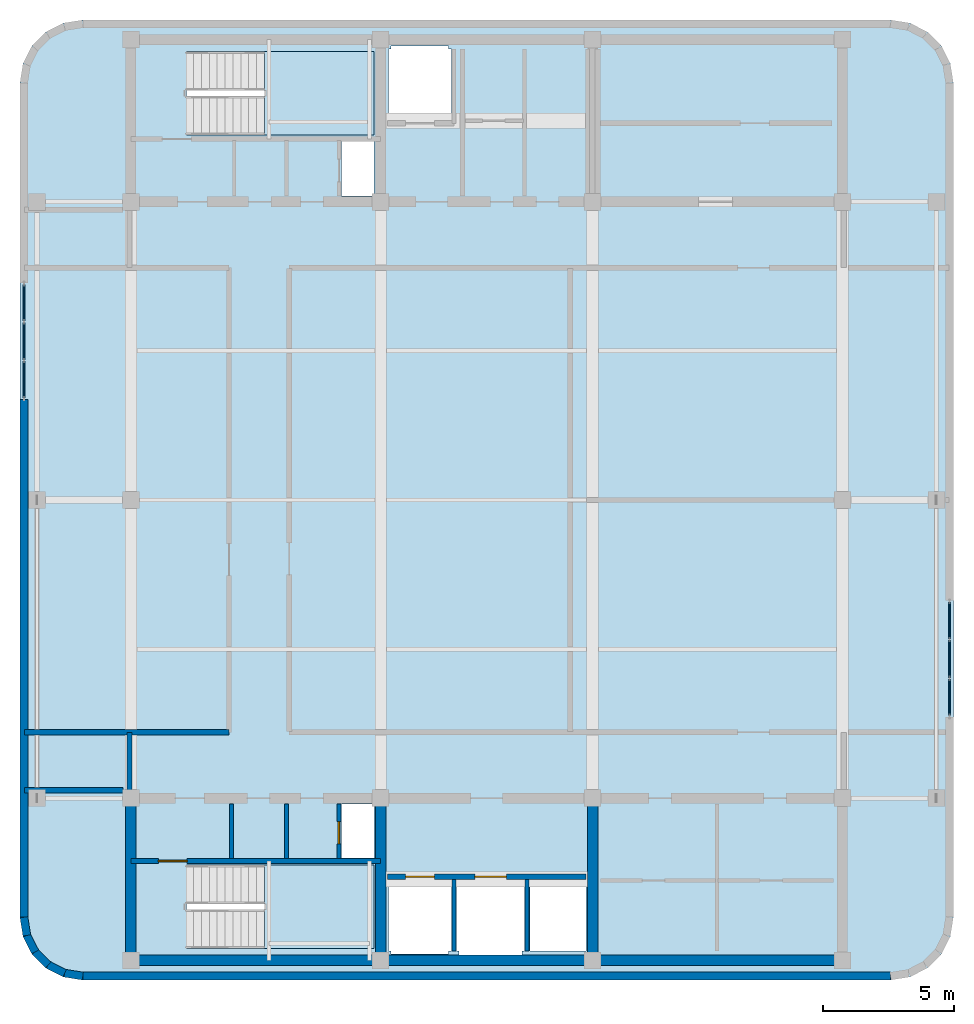
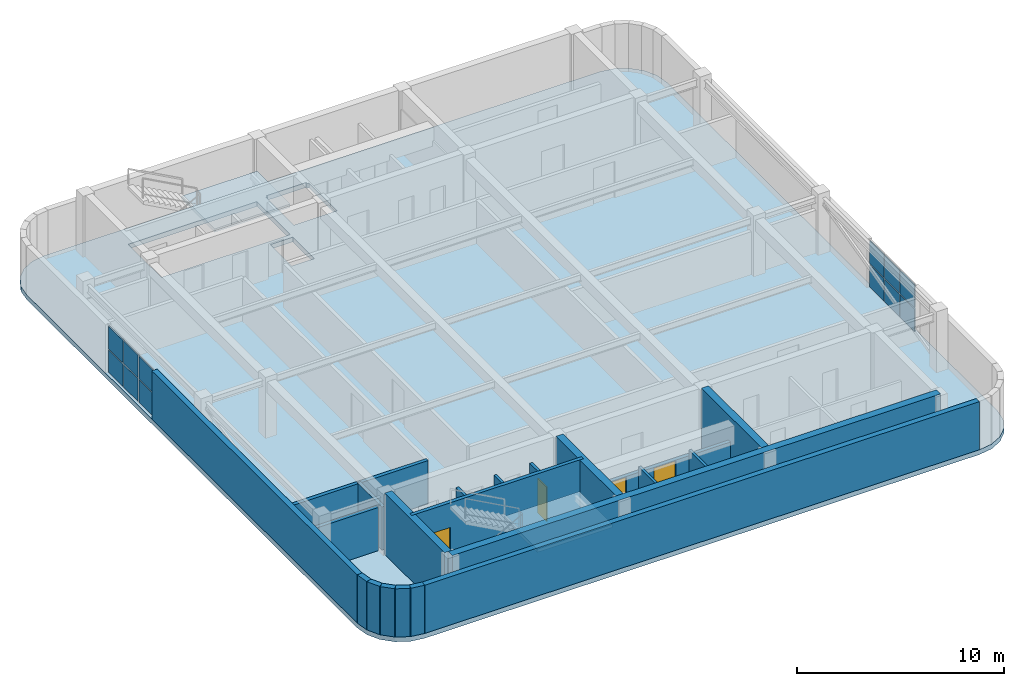
# One storey, part 4 of 9: 21 walls, 12 plates, 4 doors, 3 slabs, 4 openings, 4 elements without a shape of their own.
"""IFC4 building model written with IfcOpenShell, lengths in metres."""

import ifcopenshell
import ifcopenshell.guid

model = None  # the IFC model being written
_history = None  # IfcOwnerHistory: only IFC2X3 demands one
_inside = {}  # id of a spatial element -> (the spatial element, [elements in it])
_under = {}  # id of a project, library or spatial element -> (it, [spatial elements below it])
_declared = {}  # id of a project -> (the project, [libraries it declares])
_typed = {}  # id of a type object -> (the type object, [elements of that type])
_made_of = {}  # id of a material, layer set ... -> (it, [elements and type objects made of it])


def new_model(schema):
    """Start an empty IFC model of exactly this schema.

    Asked for "IFC4X3", IfcOpenShell would pick the latest addendum, in which some entities
    have other attributes; the version numbers below select the first issue.
    IFC2X3 requires an IfcOwnerHistory on every rooted entity: one is made here for all.
    """
    global model, _history
    if schema == "IFC4X3":
        model = ifcopenshell.file(schema_version=(4, 3, 0, 0))
    else:
        model = ifcopenshell.file(schema=schema)
    _inside.clear()
    _under.clear()
    _declared.clear()
    _typed.clear()
    _made_of.clear()
    _history = None
    if model.schema == "IFC2X3":
        org = make("IfcOrganization", Name="unknown")
        user = make(
            "IfcPersonAndOrganization",
            ThePerson=make("IfcPerson", FamilyName="unknown"),
            TheOrganization=org,
        )
        app = make(
            "IfcApplication",
            ApplicationDeveloper=org,
            Version="unknown",
            ApplicationFullName="unknown",
            ApplicationIdentifier="unknown",
        )
        _history = make(
            "IfcOwnerHistory",
            OwningUser=user,
            OwningApplication=app,
            ChangeAction="ADDED",
            CreationDate=0,
        )
    return model


def make(cls, **values):
    """One entity of the class cls with the attributes given. An attribute that is None is left unset."""
    return model.create_entity(
        cls, **{name: value for name, value in values.items() if value is not None}
    )


def rooted(cls, **values):
    """An entity with a GlobalId (a new one), such as an element, a storey or a relation."""
    return make(cls, GlobalId=ifcopenshell.guid.new(), OwnerHistory=_history, **values)


def si_unit(unit_type, name, prefix=None):
    """IfcSIUnit, for example si_unit("LENGTHUNIT", "METRE", prefix="MILLI")."""
    return make("IfcSIUnit", UnitType=unit_type, Prefix=prefix, Name=name)


def assignment(units):
    """IfcUnitAssignment: the units of a project."""
    return None if units is None else make("IfcUnitAssignment", Units=units)


def point(xyz):
    """IfcCartesianPoint."""
    return None if xyz is None else make("IfcCartesianPoint", Coordinates=xyz)


def direction(xyz):
    """IfcDirection."""
    return None if xyz is None else make("IfcDirection", DirectionRatios=xyz)


def frame(location, z_axis=None, x_axis=None):
    """IfcAxis2Placement3D, a coordinate frame: its origin and axes. An axis left out is left unset."""
    return make(
        "IfcAxis2Placement3D",
        Location=point(location),
        Axis=direction(z_axis),
        RefDirection=direction(x_axis),
    )


def frame_2d(location, x_axis=None):
    """IfcAxis2Placement2D, a coordinate frame in the plane: its origin and x axis."""
    return make(
        "IfcAxis2Placement2D", Location=point(location), RefDirection=direction(x_axis)
    )


def origin():
    """The frame at (0, 0, 0) with its axes left unset."""
    return frame((0.0, 0.0, 0.0))


def origin_2d():
    """The frame at (0, 0) in the plane with its x axis left unset."""
    return frame_2d((0.0, 0.0))


def place(relative_to, where):
    """IfcLocalPlacement: puts the frame where relative to a parent placement (None: the world)."""
    return make(
        "IfcLocalPlacement", PlacementRelTo=relative_to, RelativePlacement=where
    )


def context(
    kind, dimensions, precision=None, world=None, true_north=None, identifier=None
):
    """IfcGeometricRepresentationContext, for example the 3D "Model" context."""
    return make(
        "IfcGeometricRepresentationContext",
        ContextIdentifier=identifier,
        ContextType=kind,
        CoordinateSpaceDimension=dimensions,
        Precision=precision,
        WorldCoordinateSystem=world,
        TrueNorth=true_north,
    )


def subcontext(parent, identifier, kind, view, scale=None):
    """IfcGeometricRepresentationSubContext, for example "Body" below "Model"."""
    return make(
        "IfcGeometricRepresentationSubContext",
        ContextIdentifier=identifier,
        ContextType=kind,
        ParentContext=parent,
        TargetScale=scale,
        TargetView=view,
    )


def project(units=None, contexts=None):
    """IfcProject with its units and contexts."""
    return rooted(
        "IfcProject",
        Name="project",
        RepresentationContexts=contexts,
        UnitsInContext=assignment(units),
    )


def spatial(cls, under=None, at=None, **own):
    """A site, building, storey or space (cls), placed at a placement, below another one or the project."""
    s = rooted(cls, ObjectPlacement=at, **own)
    if under is not None:
        _under.setdefault(under.id(), (under, []))[1].append(s)
    return s


def polyline(points):
    """IfcPolyline through the points."""
    return make("IfcPolyline", Points=[point(p) for p in points])


def profile(cls, at=None, kind="AREA", **sizes):
    """A parametric profile (cls). Its sizes go by their IFC names, for example OverallWidth=200.0."""
    return make(cls, ProfileType=kind, Position=at, **sizes)


def rectangle(**sizes):
    """IfcRectangleProfileDef."""
    return profile("IfcRectangleProfileDef", **sizes)


def outline(outer, holes=None, kind="AREA"):
    """IfcArbitraryClosedProfileDef: a profile drawn as a closed curve; with holes, ...WithVoids."""
    if holes is None:
        return make("IfcArbitraryClosedProfileDef", ProfileType=kind, OuterCurve=outer)
    return make(
        "IfcArbitraryProfileDefWithVoids",
        ProfileType=kind,
        OuterCurve=outer,
        InnerCurves=holes,
    )


def extrude(swept, where, along, depth):
    """IfcExtrudedAreaSolid: the profile swept, set in the frame where, extruded along a direction by depth."""
    return make(
        "IfcExtrudedAreaSolid",
        SweptArea=swept,
        Position=where,
        ExtrudedDirection=direction(along),
        Depth=depth,
    )


def shape(context_of_items, identifier, shape_type, items):
    """IfcShapeRepresentation: the items that make up one representation, for example the "Body"."""
    return make(
        "IfcShapeRepresentation",
        ContextOfItems=context_of_items,
        RepresentationIdentifier=identifier,
        RepresentationType=shape_type,
        Items=items,
    )


def material(Name=None, Category=None):
    """IfcMaterial."""
    return make("IfcMaterial", Name=Name, Category=Category)


def layer(
    of_material, thickness, ventilated=None, Name=None, Category=None, Priority=None
):
    """IfcMaterialLayer: one layer of a wall or slab, of a material (None: an air gap)."""
    return make(
        "IfcMaterialLayer",
        Material=of_material,
        LayerThickness=thickness,
        IsVentilated=ventilated,
        Name=Name,
        Category=Category,
        Priority=Priority,
    )


def layer_set(layers, Name=None):
    """IfcMaterialLayerSet."""
    return make("IfcMaterialLayerSet", MaterialLayers=layers, LayerSetName=Name)


def made_of(thing, what):
    """Note that an element or type object is made of a material, layer set ...; save() writes the relation."""
    if what is not None:
        _made_of.setdefault(what.id(), (what, []))[1].append(thing)
    return thing


def type_object(cls, material=None, **own):
    """A type object (cls), such as IfcWallType, which elements share."""
    return made_of(rooted(cls, **own), material)


def element(
    cls,
    number,
    at=None,
    inside=None,
    cuts=None,
    type_object=None,
    material=None,
    context=None,
    identifier="Body",
    shape_type=None,
    held_by="IfcProductDefinitionShape",
    body=None,
    shapes=None,
    **own,
):
    """One element of the class cls, such as IfcWall. Its Tag is "e" and its number.

    at: its placement. inside: the storey or other place that contains it. cuts: it is an
    opening in that element (IfcRelVoidsElement). A single representation is given by context,
    identifier, shape_type and body (its items); several are given by shapes. held_by: the class
    of the entity that holds the representations. save() writes the other relations.
    """
    e = rooted(cls, Tag="e%d" % number, ObjectPlacement=at, **own)
    if body is not None:
        shapes = [shape(context, identifier, shape_type, body)]
    if shapes is not None:
        e.Representation = make(held_by, Representations=shapes)
    if inside is not None:
        _inside.setdefault(inside.id(), (inside, []))[1].append(e)
    if cuts is not None:
        rooted(
            "IfcRelVoidsElement", RelatingBuildingElement=cuts, RelatedOpeningElement=e
        )
    if type_object is not None:
        _typed.setdefault(type_object.id(), (type_object, []))[1].append(e)
    return made_of(e, material)


def fill(opening, filler):
    """IfcRelFillsElement: the door or window that sits in an opening."""
    return rooted(
        "IfcRelFillsElement",
        RelatingOpeningElement=opening,
        RelatedBuildingElement=filler,
    )


def aggregate(whole, parts):
    """IfcRelAggregates: a whole, such as a stair, and the parts it consists of."""
    return rooted("IfcRelAggregates", RelatingObject=whole, RelatedObjects=parts)


def save(model, path):
    """Write the relations noted so far, then the file.

    IfcRelAggregates (storeys below a building ...), IfcRelContainedInSpatialStructure (elements
    in a storey), IfcRelDefinesByType, IfcRelAssociatesMaterial and IfcRelDeclares: one each for
    every whole, place, type object, material and project.
    """
    for whole, parts in _under.values():
        aggregate(whole, parts)
    for where, things in _inside.values():
        rooted(
            "IfcRelContainedInSpatialStructure",
            RelatedElements=things,
            RelatingStructure=where,
        )
    for kind, things in _typed.values():
        rooted("IfcRelDefinesByType", RelatedObjects=things, RelatingType=kind)
    for what, things in _made_of.values():
        rooted("IfcRelAssociatesMaterial", RelatedObjects=things, RelatingMaterial=what)
    for by, libraries in _declared.values():
        rooted("IfcRelDeclares", RelatingContext=by, RelatedDefinitions=libraries)
    model.write(path)


model = new_model("IFC4")

# Units and contexts
model_context = context("Model", 3, precision=1e-05, world=origin(), true_north=direction((0.0, 1.0)))
body_context = subcontext(model_context, "Body", "Model", "MODEL_VIEW")
ifc_project = project(units=[si_unit("LENGTHUNIT", "METRE"), si_unit("AREAUNIT", "SQUARE_METRE"), si_unit("VOLUMEUNIT", "CUBIC_METRE"), si_unit("PLANEANGLEUNIT", "RADIAN"), si_unit("MASSUNIT", "GRAM", prefix="KILO")], contexts=[model_context])

# Site, building, storey
site_placement = place(None, origin())
site = spatial("IfcSite", under=ifc_project, at=site_placement, CompositionType="ELEMENT")
building_placement = place(site_placement, origin())
building = spatial("IfcBuilding", under=site, at=building_placement, Name="Svetorya Sky Lyceum", CompositionType="ELEMENT")
storey_placement = place(building_placement, frame((0.0, 0.0, 309.199951171875)))
storey = spatial("IfcBuildingStorey", under=building, at=storey_placement, Name="C03", CompositionType="ELEMENT", Elevation=309.199951171875)

# Curtain wall, plates
ifc_material_1 = material(Name="Thermally broken anodized aluminium and triple low-E glass", Category="aluminium")
curtain_wall_type = type_object("IfcCurtainWallType", Name="CW5-LVR-PLT", PredefinedType="NOTDEFINED", material=ifc_material_1)
curtain_wall_1_placement = place(storey_placement, origin())
curtain_wall_1 = element("IfcCurtainWall", 1, at=curtain_wall_1_placement, inside=storey, type_object=curtain_wall_type, Name="C03 Acoustic Plant Louvre Curtain Wall 12", PredefinedType="NOTDEFINED")
ifc_material_2 = material(Name="Powder-coated extruded aluminium acoustic louvre blade", Category="aluminium")
ifc_layer_1 = layer(ifc_material_2, 0.06494140625)
ifc_layer_set_1 = layer_set([ifc_layer_1], Name="Powder-coated extruded aluminium acoustic louvre blade")
plate_type = type_object("IfcPlateType", Name="CWP-LVR-65", PredefinedType="SHEET", material=ifc_layer_set_1)
plate_1_placement = place(storey_placement, frame((56.889892578125, 20.657958984375, 0.0634765625), z_axis=(0.0, 0.0, 1.0), x_axis=(0.0, 1.0, 0.0)))
plate_1 = element("IfcPlate", 2, at=plate_1_placement, type_object=plate_type, Name="CW-5 panel 1.1", PredefinedType="SHEET", context=body_context, shape_type="SweptSolid", body=[
    extrude(rectangle(XDim=1.388916015625, YDim=0.06494140625, at=origin_2d()), origin(), (0.0, 0.0, 1.0), 1.325439453125),
])
plate_2_placement = place(storey_placement, frame((56.889892578125, 20.657958984375, 1.451171875), z_axis=(0.0, 0.0, 1.0), x_axis=(0.0, 1.0, 0.0)))
plate_2 = element("IfcPlate", 3, at=plate_2_placement, type_object=plate_type, Name="CW-5 panel 1.2", PredefinedType="SHEET", context=body_context, shape_type="SweptSolid", body=[
    extrude(rectangle(XDim=1.388916015625, YDim=0.06494140625, at=origin_2d()), origin(), (0.0, 0.0, 1.0), 1.325439453125),
])
plate_3_placement = place(storey_placement, frame((56.889892578125, 22.125, 0.0634765625), z_axis=(0.0, 0.0, 1.0), x_axis=(0.0, 1.0, 0.0)))
plate_3 = element("IfcPlate", 4, at=plate_3_placement, type_object=plate_type, Name="CW-5 panel 2.1", PredefinedType="SHEET", context=body_context, shape_type="SweptSolid", body=[
    extrude(rectangle(XDim=1.42138671875, YDim=0.06494140625, at=origin_2d()), origin(), (0.0, 0.0, 1.0), 1.325439453125),
])
plate_4_placement = place(storey_placement, frame((56.889892578125, 22.125, 1.451171875), z_axis=(0.0, 0.0, 1.0), x_axis=(0.0, 1.0, 0.0)))
plate_4 = element("IfcPlate", 5, at=plate_4_placement, type_object=plate_type, Name="CW-5 panel 2.2", PredefinedType="SHEET", context=body_context, shape_type="SweptSolid", body=[
    extrude(rectangle(XDim=1.42138671875, YDim=0.06494140625, at=origin_2d()), origin(), (0.0, 0.0, 1.0), 1.325439453125),
])
plate_5_placement = place(storey_placement, frame((56.889892578125, 23.592041015625, 0.0634765625), z_axis=(0.0, 0.0, 1.0), x_axis=(0.0, 1.0, 0.0)))
plate_5 = element("IfcPlate", 6, at=plate_5_placement, type_object=plate_type, Name="CW-5 panel 3.1", PredefinedType="SHEET", context=body_context, shape_type="SweptSolid", body=[
    extrude(rectangle(XDim=1.388916015625, YDim=0.06494140625, at=origin_2d()), origin(), (0.0, 0.0, 1.0), 1.325439453125),
])
plate_6_placement = place(storey_placement, frame((56.889892578125, 23.592041015625, 1.451171875), z_axis=(0.0, 0.0, 1.0), x_axis=(0.0, 1.0, 0.0)))
plate_6 = element("IfcPlate", 7, at=plate_6_placement, type_object=plate_type, Name="CW-5 panel 3.2", PredefinedType="SHEET", context=body_context, shape_type="SweptSolid", body=[
    extrude(rectangle(XDim=1.388916015625, YDim=0.06494140625, at=origin_2d()), origin(), (0.0, 0.0, 1.0), 1.325439453125),
])
aggregate(curtain_wall_1, [plate_1, plate_2, plate_3, plate_4, plate_5, plate_6])

curtain_wall_2_placement = place(storey_placement, origin())
curtain_wall_2 = element("IfcCurtainWall", 8, at=curtain_wall_2_placement, inside=storey, type_object=curtain_wall_type, Name="C03 Acoustic Plant Louvre Curtain Wall 24", PredefinedType="NOTDEFINED")
plate_7_placement = place(storey_placement, frame((21.510009765625, 35.7421875, 0.0634765625), z_axis=(0.0, 0.0, 1.0), x_axis=(0.0, -1.0, 0.0)))
plate_7 = element("IfcPlate", 9, at=plate_7_placement, type_object=plate_type, Name="CW-5 panel 1.1", PredefinedType="SHEET", context=body_context, shape_type="SweptSolid", body=[
    extrude(rectangle(XDim=1.388916015625, YDim=0.06494140625, at=origin_2d()), origin(), (0.0, 0.0, 1.0), 1.325439453125),
])
plate_8_placement = place(storey_placement, frame((21.510009765625, 35.7421875, 1.451171875), z_axis=(0.0, 0.0, 1.0), x_axis=(0.0, -1.0, 0.0)))
plate_8 = element("IfcPlate", 10, at=plate_8_placement, type_object=plate_type, Name="CW-5 panel 1.2", PredefinedType="SHEET", context=body_context, shape_type="SweptSolid", body=[
    extrude(rectangle(XDim=1.388916015625, YDim=0.06494140625, at=origin_2d()), origin(), (0.0, 0.0, 1.0), 1.325439453125),
])
plate_9_placement = place(storey_placement, frame((21.510009765625, 34.27490234375, 0.0634765625), z_axis=(0.0, 0.0, 1.0), x_axis=(0.0, -1.0, 0.0)))
plate_9 = element("IfcPlate", 11, at=plate_9_placement, type_object=plate_type, Name="CW-5 panel 2.1", PredefinedType="SHEET", context=body_context, shape_type="SweptSolid", body=[
    extrude(rectangle(XDim=1.42138671875, YDim=0.06494140625, at=origin_2d()), origin(), (0.0, 0.0, 1.0), 1.325439453125),
])
plate_10_placement = place(storey_placement, frame((21.510009765625, 34.27490234375, 1.451171875), z_axis=(0.0, 0.0, 1.0), x_axis=(0.0, -1.0, 0.0)))
plate_10 = element("IfcPlate", 12, at=plate_10_placement, type_object=plate_type, Name="CW-5 panel 2.2", PredefinedType="SHEET", context=body_context, shape_type="SweptSolid", body=[
    extrude(rectangle(XDim=1.42138671875, YDim=0.06494140625, at=origin_2d()), origin(), (0.0, 0.0, 1.0), 1.325439453125),
])
plate_11_placement = place(storey_placement, frame((21.510009765625, 32.807861328125, 0.0634765625), z_axis=(0.0, 0.0, 1.0), x_axis=(0.0, -1.0, 0.0)))
plate_11 = element("IfcPlate", 13, at=plate_11_placement, type_object=plate_type, Name="CW-5 panel 3.1", PredefinedType="SHEET", context=body_context, shape_type="SweptSolid", body=[
    extrude(rectangle(XDim=1.388916015625, YDim=0.06494140625, at=origin_2d()), origin(), (0.0, 0.0, 1.0), 1.325439453125),
])
plate_12_placement = place(storey_placement, frame((21.510009765625, 32.807861328125, 1.451171875), z_axis=(0.0, 0.0, 1.0), x_axis=(0.0, -1.0, 0.0)))
plate_12 = element("IfcPlate", 14, at=plate_12_placement, type_object=plate_type, Name="CW-5 panel 3.2", PredefinedType="SHEET", context=body_context, shape_type="SweptSolid", body=[
    extrude(rectangle(XDim=1.388916015625, YDim=0.06494140625, at=origin_2d()), origin(), (0.0, 0.0, 1.0), 1.325439453125),
])
aggregate(curtain_wall_2, [plate_7, plate_8, plate_9, plate_10, plate_11, plate_12])

# Stair, slab
ifc_material_3 = material(Name="Concrete C40/50", Category="concrete")
stair_type_1 = type_object("IfcStairType", Name="STR-ST-S", PredefinedType="HALF_TURN_STAIR", material=ifc_material_3)
stair_1_placement = place(storey_placement, origin())
stair_1 = element("IfcStair", 15, at=stair_1_placement, inside=storey, type_object=stair_type_1, Name="C03 South Core Smoke-Free Exit Stair N2", PredefinedType="HALF_TURN_STAIR")
ifc_layer_2 = layer(ifc_material_3, 0.199951171875)
ifc_layer_set_2 = layer_set([ifc_layer_2], Name="Concrete C40/50")
slab_type_1 = type_object("IfcSlabType", Name="SL-STR-LAND-200", PredefinedType="LANDING", material=ifc_layer_set_2)
slab_1_placement = place(storey_placement, frame((0.0, 0.0, 1.60009765625)))
slab_1 = element("IfcSlab", 16, at=slab_1_placement, type_object=slab_type_1, Name="ST-S landing 1", PredefinedType="LANDING", context=body_context, shape_type="SweptSolid", body=[
    extrude(outline(polyline([(30.699951171875, 11.050048828125), (34.89990234375, 11.050048828125), (34.89990234375, 14.25), (30.699951171875, 14.25), (30.699951171875, 11.050048828125)])), origin(), (0.0, 0.0, 1.0), 0.199951171875),
])
aggregate(stair_1, [slab_1])

stair_type_2 = type_object("IfcStairType", Name="STR-ST-N", PredefinedType="HALF_TURN_STAIR", material=ifc_material_3)
stair_2_placement = place(storey_placement, origin())
stair_2 = element("IfcStair", 17, at=stair_2_placement, inside=storey, type_object=stair_type_2, Name="C03 North Core Smoke-Free Exit Stair N3", PredefinedType="HALF_TURN_STAIR")
slab_2_placement = place(storey_placement, frame((0.0, 0.0, 1.60009765625)))
slab_2 = element("IfcSlab", 18, at=slab_2_placement, type_object=slab_type_1, Name="ST-N landing 1", PredefinedType="LANDING", context=body_context, shape_type="SweptSolid", body=[
    extrude(outline(polyline([(30.699951171875, 42.14990234375), (34.89990234375, 42.14990234375), (34.89990234375, 45.35009765625), (30.699951171875, 45.35009765625), (30.699951171875, 42.14990234375)])), origin(), (0.0, 0.0, 1.0), 0.199951171875),
])
aggregate(stair_2, [slab_2])

# Slab
ifc_material_4 = material(Name="Concrete C50/60", Category="concrete")
ifc_layer_3 = layer(ifc_material_4, 0.280029296875)
ifc_layer_set_3 = layer_set([ifc_layer_3], Name="Concrete C50/60")
slab_type_2 = type_object("IfcSlabType", Name="SL-TWR-280", PredefinedType="FLOOR", material=ifc_layer_set_3)
slab_3_placement = place(storey_placement, frame((0.0, 0.0, -0.280029296875)))
element("IfcSlab", 19, at=slab_3_placement, inside=storey, type_object=slab_type_2, Name="C03 Structural Floor Slab", PredefinedType="FLOOR", context=body_context, shape_type="SweptSolid", body=[
    extrude(outline(polyline([(21.360107421875, 12.25), (21.4775390625, 11.50830078125), (21.818359375, 10.83935546875), (22.349365234375, 10.308349609375), (23.018310546875, 9.967529296875), (23.760009765625, 9.85009765625), (54.639892578125, 9.85009765625), (55.381591796875, 9.967529296875), (56.05078125, 10.308349609375), (56.58154296875, 10.83935546875), (56.922607421875, 11.50830078125), (57.0400390625, 12.25), (57.0400390625, 44.14990234375), (56.922607421875, 44.8916015625), (56.58154296875, 45.560791015625), (56.05078125, 46.091552734375), (55.381591796875, 46.4326171875), (54.639892578125, 46.550048828125), (23.760009765625, 46.550048828125), (23.018310546875, 46.4326171875), (22.349365234375, 46.091552734375), (21.818359375, 45.560791015625), (21.4775390625, 44.8916015625), (21.360107421875, 44.14990234375), (21.360107421875, 12.25)]), holes=[polyline([(37.75, 10.85009765625), (35.550048828125, 10.85009765625), (35.550048828125, 10.949951171875), (35.449951171875, 10.949951171875), (35.449951171875, 13.64990234375), (35.550048828125, 13.64990234375), (37.75, 13.64990234375), (37.85009765625, 13.64990234375), (37.85009765625, 10.949951171875), (37.75, 10.949951171875), (37.75, 10.85009765625)]), polyline([(34.89990234375, 11.050048828125), (27.719970703125, 11.050048828125), (27.719970703125, 14.25), (34.89990234375, 14.25), (34.89990234375, 11.050048828125)]), polyline([(34.89990234375, 14.52001953125), (33.64990234375, 14.52001953125), (33.64990234375, 16.580078125), (34.89990234375, 16.580078125), (34.89990234375, 14.52001953125)]), polyline([(33.64990234375, 39.820068359375), (33.64990234375, 41.89990234375), (34.89990234375, 41.89990234375), (34.89990234375, 39.820068359375), (33.64990234375, 39.820068359375)]), polyline([(27.719970703125, 42.14990234375), (27.719970703125, 45.35009765625), (34.89990234375, 45.35009765625), (34.89990234375, 42.14990234375), (27.719970703125, 42.14990234375)]), polyline([(37.75, 45.449951171875), (37.85009765625, 45.449951171875), (37.85009765625, 42.75), (37.75, 42.75), (35.550048828125, 42.75), (35.449951171875, 42.75), (35.449951171875, 45.449951171875), (35.550048828125, 45.449951171875), (35.550048828125, 45.550048828125), (37.75, 45.550048828125), (37.75, 45.449951171875)]), polyline([(40.64990234375, 13.64990234375), (40.64990234375, 10.949951171875), (40.550048828125, 10.949951171875), (40.550048828125, 10.800048828125), (38.14990234375, 10.800048828125), (38.14990234375, 10.949951171875), (38.050048828125, 10.949951171875), (38.050048828125, 13.64990234375), (38.14990234375, 13.64990234375), (38.14990234375, 13.699951171875), (40.550048828125, 13.699951171875), (40.550048828125, 13.64990234375), (40.64990234375, 13.64990234375)]), polyline([(40.85009765625, 10.949951171875), (40.85009765625, 13.64990234375), (43.0, 13.64990234375), (43.0, 10.949951171875), (40.85009765625, 10.949951171875)])]), origin(), (0.0, 0.0, 1.0), 0.280029296875),
])

# Walls
ifc_layer_4 = layer(ifc_material_3, 0.39990234375)
ifc_layer_set_4 = layer_set([ifc_layer_4], Name="Concrete C40/50")
wall_type_1 = type_object("IfcWallType", Name="WL-CORE-400", PredefinedType="SHEAR", material=ifc_layer_set_4)
wall_1_placement = place(storey_placement, frame((52.800048828125, 10.60009765625, 0.0), z_axis=(0.0, 0.0, 1.0), x_axis=(-1.0, 0.0, 0.0)))
element("IfcWall", 20, at=wall_1_placement, inside=storey, type_object=wall_type_1, Name="C03 SC Outer Core Shear Wall", PredefinedType="SHEAR", context=body_context, shape_type="SweptSolid", body=[
    extrude(rectangle(XDim=27.199951171875, YDim=0.39990234375, at=frame_2d((13.60009765625, 0.0))), origin(), (0.0, 0.0, 1.0), 3.60009765625),
])
for number, where, z_axis, x_axis, name in (
    (21, (25.60009765625, 10.800048828125, 0.0), (0.0, 0.0, 1.0), (0.0, 1.0, 0.0), "C03 SC West Core Shear Wall"),
    (22, (35.14990234375, 10.800048828125, 0.0), (0.0, 0.0, 1.0), (0.0, 1.0, 0.0), "C03 SC Internal Shear Web WEB1"),
    (23, (43.25, 10.800048828125, 0.0), (0.0, 0.0, 1.0), (0.0, 1.0, 0.0), "C03 SC Internal Shear Web WEB2"),
):
    element("IfcWall", number, at=place(storey_placement, frame(where, z_axis=z_axis, x_axis=x_axis)), inside=storey, type_object=wall_type_1, Name=name, PredefinedType="SHEAR", context=body_context, shape_type="SweptSolid", body=[
        extrude(rectangle(XDim=5.800048828125, YDim=0.39990234375, at=frame_2d((2.89990234375, 0.0))), origin(), (0.0, 0.0, 1.0), 3.60009765625),
    ])
ifc_material_5 = material(Name="Putilovo limestone rainscreen on autoclaved cellular masonry", Category="masonry")
ifc_layer_5 = layer(ifc_material_5, 0.300048828125)
ifc_layer_set_5 = layer_set([ifc_layer_5], Name="Putilovo limestone rainscreen on autoclaved cellular masonry")
wall_type_2 = type_object("IfcWallType", Name="WL-EXT-300", PredefinedType="SOLIDWALL", material=ifc_layer_set_5)
for number, where, z_axis, x_axis, name in (
    (24, (21.510009765625, 12.25, 0.0), (0.0, 0.0, 1.0), (0.156407776626, -0.987692567255, 0.0), "C03 Limestone Exterior Wall 1M"),
    (25, (21.6201171875, 11.5546875, 0.0), (0.0, 0.0, 1.0), (0.453998517824, -0.891002438725, 0.0), "C03 Limestone Exterior Wall 2M"),
):
    element("IfcWall", number, at=place(storey_placement, frame(where, z_axis=z_axis, x_axis=x_axis)), inside=storey, type_object=wall_type_2, Name=name, PredefinedType="SOLIDWALL", context=body_context, shape_type="SweptSolid", body=[
        extrude(rectangle(XDim=0.703857421875, YDim=0.300048828125, at=frame_2d((0.35205078125, 0.0))), origin(), (0.0, 0.0, 1.0), 2.840087890625),
    ])
wall_2_placement = place(storey_placement, frame((21.939697265625, 10.927490234375, 0.0), z_axis=(0.0, 0.0, 1.0), x_axis=(0.707106781187, -0.707106781187, 0.0)))
element("IfcWall", 26, at=wall_2_placement, inside=storey, type_object=wall_type_2, Name="C03 Limestone Exterior Wall 3M", PredefinedType="SOLIDWALL", context=body_context, shape_type="SweptSolid", body=[
    extrude(rectangle(XDim=0.7041015625, YDim=0.300048828125, at=frame_2d((0.35205078125, 0.0))), origin(), (0.0, 0.0, 1.0), 2.840087890625),
])
for number, where, z_axis, x_axis, name in (
    (27, (22.4375, 10.4296875, 0.0), (0.0, 0.0, 1.0), (0.891002438725, -0.453998517824, 0.0), "C03 Limestone Exterior Wall 4M"),
    (28, (23.064697265625, 10.110107421875, 0.0), (0.0, 0.0, 1.0), (0.987692567255, -0.156407776626, 0.0), "C03 Limestone Exterior Wall 5M"),
):
    element("IfcWall", number, at=place(storey_placement, frame(where, z_axis=z_axis, x_axis=x_axis)), inside=storey, type_object=wall_type_2, Name=name, PredefinedType="SOLIDWALL", context=body_context, shape_type="SweptSolid", body=[
        extrude(rectangle(XDim=0.703857421875, YDim=0.300048828125, at=frame_2d((0.35205078125, 0.0))), origin(), (0.0, 0.0, 1.0), 2.840087890625),
    ])
wall_3_placement = place(storey_placement, frame((23.760009765625, 10.0, 0.0), z_axis=(0.0, 0.0, 1.0), x_axis=(1.0, 0.0, 0.0)))
element("IfcWall", 29, at=wall_3_placement, inside=storey, type_object=wall_type_2, Name="C03 Limestone Exterior Wall 6M", PredefinedType="SOLIDWALL", context=body_context, shape_type="SweptSolid", body=[
    extrude(rectangle(XDim=30.8798828125, YDim=0.300048828125, at=frame_2d((15.43994140625, 0.0))), origin(), (0.0, 0.0, 1.0), 2.840087890625),
])
wall_4_placement = place(storey_placement, frame((21.510009765625, 32.050048828125, 0.0), z_axis=(0.0, 0.0, 1.0), x_axis=(0.0, -1.0, 0.0)))
element("IfcWall", 30, at=wall_4_placement, inside=storey, type_object=wall_type_2, Name="C03 Limestone Exterior Wall 24B", PredefinedType="SOLIDWALL", context=body_context, shape_type="SweptSolid", body=[
    extrude(rectangle(XDim=19.800048828125, YDim=0.300048828125, at=frame_2d((9.89990234375, 0.0))), origin(), (0.0, 0.0, 1.0), 2.840087890625),
])
ifc_material_6 = material(Name="Autoclaved cellular masonry blockwork with acoustic render", Category="masonry")
ifc_layer_6 = layer(ifc_material_6, 0.14990234375)
ifc_layer_set_6 = layer_set([ifc_layer_6], Name="Autoclaved cellular masonry blockwork with acoustic render")
wall_type_3 = type_object("IfcWallType", Name="WL-PART-150", PredefinedType="PARTITIONING", material=ifc_layer_set_6)
for number, where, z_axis, x_axis, name in (
    (31, (29.449951171875, 14.5, 0.0), (0.0, 0.0, 1.0), (0.0, 1.0, 0.0), "C03 Interior Partition SC-SWD1"),
    (32, (31.550048828125, 14.5, 0.0), (0.0, 0.0, 1.0), (0.0, 1.0, 0.0), "C03 Interior Partition SC-SWD2"),
):
    element("IfcWall", number, at=place(storey_placement, frame(where, z_axis=z_axis, x_axis=x_axis)), inside=storey, type_object=wall_type_3, Name=name, PredefinedType="PARTITIONING", context=body_context, shape_type="SweptSolid", body=[
        extrude(rectangle(XDim=2.080078125, YDim=0.14990234375, at=frame_2d((1.0400390625, 0.0))), origin(), (0.0, 0.0, 1.0), 2.5400390625),
    ])

# Wall, opening, door
wall_5_placement = place(storey_placement, frame((33.550048828125, 14.5, 0.0), z_axis=(0.0, 0.0, 1.0), x_axis=(0.0, 1.0, 0.0)))
wall_5 = element("IfcWall", 33, at=wall_5_placement, inside=storey, type_object=wall_type_3, Name="C03 Interior Partition SC-SWD3", PredefinedType="PARTITIONING", context=body_context, shape_type="SweptSolid", body=[
    extrude(rectangle(XDim=2.080078125, YDim=0.14990234375, at=frame_2d((1.0400390625, 0.0))), origin(), (0.0, 0.0, 1.0), 2.5400390625),
])
opening_1_placement = place(wall_5_placement, frame((0.550048828125, 0.0, 0.0)))
opening_1 = element("IfcOpeningElement", 34, at=opening_1_placement, cuts=wall_5, Name="Opening D-SH1", PredefinedType="OPENING", context=body_context, shape_type="SweptSolid", body=[
    extrude(rectangle(XDim=0.85009765625, YDim=2.050048828125, at=frame_2d((0.425048828125, 1.02490234375))), frame((0.0, 0.0849609375, 0.0), z_axis=(0.0, -1.0, 0.0), x_axis=(1.0, 0.0, 0.0)), (0.0, 0.0, 1.0), 0.169921875),
])
ifc_material_7 = material(Name="Insulated galvanized riser inspection fire door")
door_type_1 = type_object("IfcDoorType", Name="DR-SHFT-850", OperationType="SINGLE_SWING_LEFT", PredefinedType="TRAPDOOR", material=ifc_material_7)
door_1_placement = place(opening_1_placement, origin())
door_1 = element("IfcDoor", 35, at=door_1_placement, inside=storey, type_object=door_type_1, Name="C03 South Riser Access Door", OperationType="SINGLE_SWING_RIGHT", OverallHeight=2.050048828125, OverallWidth=0.85009765625, PredefinedType="TRAPDOOR", context=body_context, shape_type="SweptSolid", body=[
    extrude(rectangle(XDim=0.85009765625, YDim=2.050048828125, at=frame_2d((0.425048828125, 1.02490234375))), frame((0.0, 0.02490234375, 0.0), z_axis=(0.0, -1.0, 0.0), x_axis=(1.0, 0.0, 0.0)), (0.0, 0.0, 1.0), 0.050048828125),
])
fill(opening_1, door_1)

# Walls
for number, where, z_axis, x_axis, name in (
    (36, (37.949951171875, 10.949951171875, 0.0), (0.0, 0.0, 1.0), (0.0, 1.0, 0.0), "C03 Interior Partition SC-SHD1"),
    (37, (40.75, 10.949951171875, 0.0), (0.0, 0.0, 1.0), (0.0, 1.0, 0.0), "C03 Interior Partition SC-SHD2"),
):
    element("IfcWall", number, at=place(storey_placement, frame(where, z_axis=z_axis, x_axis=x_axis)), inside=storey, type_object=wall_type_3, Name=name, PredefinedType="PARTITIONING", context=body_context, shape_type="SweptSolid", body=[
        extrude(rectangle(XDim=2.75, YDim=0.14990234375, at=frame_2d((1.375, 0.0))), origin(), (0.0, 0.0, 1.0), 2.5400390625),
    ])

# Wall, openings, doors
ifc_material_8 = material(Name="Autoclaved cellular masonry blockwork with gypsum plaster", Category="masonry")
ifc_layer_7 = layer(ifc_material_8, 0.199951171875)
ifc_layer_set_7 = layer_set([ifc_layer_7], Name="Autoclaved cellular masonry blockwork with gypsum plaster")
wall_type_4 = type_object("IfcWallType", Name="WL-PART-200", PredefinedType="PARTITIONING", material=ifc_layer_set_7)
wall_6_placement = place(storey_placement, frame((35.39990234375, 13.800048828125, 0.0), z_axis=(0.0, 0.0, 1.0), x_axis=(1.0, 0.0, 0.0)))
wall_6 = element("IfcWall", 38, at=wall_6_placement, inside=storey, type_object=wall_type_4, Name="C03 Interior Partition SC-FLW", PredefinedType="PARTITIONING", context=body_context, shape_type="SweptSolid", body=[
    extrude(rectangle(XDim=7.60009765625, YDim=0.199951171875, at=frame_2d((3.800048828125, 0.0))), origin(), (0.0, 0.0, 1.0), 2.199951171875),
])
opening_2_placement = place(wall_6_placement, frame((0.699951171875, 0.0, 0.0)))
opening_2 = element("IfcOpeningElement", 39, at=opening_2_placement, cuts=wall_6, Name="Opening LD-FL", PredefinedType="OPENING", context=body_context, shape_type="SweptSolid", body=[
    extrude(rectangle(XDim=1.10009765625, YDim=2.14990234375, at=frame_2d((0.550048828125, 1.074951171875))), frame((0.0, 0.10986328125, 0.0), z_axis=(0.0, -1.0, 0.0), x_axis=(1.0, 0.0, 0.0)), (0.0, 0.0, 1.0), 0.219970703125),
])
opening_3_placement = place(wall_6_placement, frame((3.35009765625, 0.0, 0.0)))
opening_3 = element("IfcOpeningElement", 40, at=opening_3_placement, cuts=wall_6, Name="Opening LD-SV", PredefinedType="OPENING", context=body_context, shape_type="SweptSolid", body=[
    extrude(rectangle(XDim=1.199951171875, YDim=2.14990234375, at=frame_2d((0.60009765625, 1.074951171875))), frame((0.0, 0.10986328125, 0.0), z_axis=(0.0, -1.0, 0.0), x_axis=(1.0, 0.0, 0.0)), (0.0, 0.0, 1.0), 0.219970703125),
])
ifc_material_9 = material(Name="Fire-rated stainless AISI 304 firefighting lift landing door")
door_type_2 = type_object("IfcDoorType", Name="DR-LIFT-1100", OperationType="SLIDING_TO_LEFT", PredefinedType="DOOR", material=ifc_material_9)
door_2_placement = place(opening_2_placement, origin())
door_2 = element("IfcDoor", 41, at=door_2_placement, inside=storey, type_object=door_type_2, Name="C03 Firefighting Lift FL2 Landing Door", OperationType="SLIDING_TO_LEFT", OverallHeight=2.14990234375, OverallWidth=1.10009765625, PredefinedType="DOOR", context=body_context, shape_type="SweptSolid", body=[
    extrude(rectangle(XDim=1.10009765625, YDim=2.14990234375, at=frame_2d((0.550048828125, 1.074951171875))), frame((0.0, 0.02490234375, 0.0), z_axis=(0.0, -1.0, 0.0), x_axis=(1.0, 0.0, 0.0)), (0.0, 0.0, 1.0), 0.050048828125),
])
fill(opening_2, door_2)
ifc_material_10 = material(Name="Brushed stainless AISI 304 telescopic lift landing door")
door_type_3 = type_object("IfcDoorType", Name="DR-LIFT-1200", OperationType="SLIDING_TO_LEFT", PredefinedType="DOOR", material=ifc_material_10)
door_3_placement = place(opening_3_placement, origin())
door_3 = element("IfcDoor", 42, at=door_3_placement, inside=storey, type_object=door_type_3, Name="C03 Service Lift SVL1 Landing Door", OperationType="SLIDING_TO_LEFT", OverallHeight=2.14990234375, OverallWidth=1.199951171875, PredefinedType="DOOR", context=body_context, shape_type="SweptSolid", body=[
    extrude(rectangle(XDim=1.199951171875, YDim=2.14990234375, at=frame_2d((0.60009765625, 1.074951171875))), frame((0.0, 0.02490234375, 0.0), z_axis=(0.0, -1.0, 0.0), x_axis=(1.0, 0.0, 0.0)), (0.0, 0.0, 1.0), 0.050048828125),
])
fill(opening_3, door_3)

# Walls
wall_7_placement = place(storey_placement, frame((21.530029296875, 19.320068359375, 0.0), z_axis=(0.0, 0.0, 1.0), x_axis=(1.0, 0.0, 0.0)))
element("IfcWall", 43, at=wall_7_placement, inside=storey, type_object=wall_type_4, Name="C03 Interior Partition PL-SW", PredefinedType="PARTITIONING", context=body_context, shape_type="SweptSolid", body=[
    extrude(rectangle(XDim=7.820068359375, YDim=0.199951171875, at=frame_2d((3.91015625, 0.0))), origin(), (0.0, 0.0, 1.0), 2.5400390625),
])
wall_8_placement = place(storey_placement, frame((25.550048828125, 16.949951171875, 0.0), z_axis=(0.0, 0.0, 1.0), x_axis=(0.0, 1.0, 0.0)))
element("IfcWall", 44, at=wall_8_placement, inside=storey, type_object=wall_type_4, Name="C03 Interior Partition PL-SW-END", PredefinedType="PARTITIONING", context=body_context, shape_type="SweptSolid", body=[
    extrude(rectangle(XDim=2.3701171875, YDim=0.199951171875, at=frame_2d((1.18505859375, 0.0))), origin(), (0.0, 0.0, 1.0), 2.5400390625),
])
wall_9_placement = place(storey_placement, frame((21.530029296875, 17.10009765625, 0.0), z_axis=(0.0, 0.0, 1.0), x_axis=(1.0, 0.0, 0.0)))
element("IfcWall", 45, at=wall_9_placement, inside=storey, type_object=wall_type_4, Name="C03 Interior Partition PL-WS-CAP", PredefinedType="PARTITIONING", context=body_context, shape_type="SweptSolid", body=[
    extrude(rectangle(XDim=3.77001953125, YDim=0.199951171875, at=frame_2d((1.885009765625, 0.0))), origin(), (0.0, 0.0, 1.0), 2.5400390625),
])

# Wall, opening, door
ifc_layer_8 = layer(ifc_material_4, 0.199951171875)
ifc_layer_set_8 = layer_set([ifc_layer_8], Name="Concrete C50/60")
wall_type_5 = type_object("IfcWallType", Name="WL-SHW-200", PredefinedType="SHEAR", material=ifc_layer_set_8)
wall_10_placement = place(storey_placement, frame((25.60009765625, 14.39990234375, 0.0), z_axis=(0.0, 0.0, 1.0), x_axis=(1.0, 0.0, 0.0)))
wall_10 = element("IfcWall", 46, at=wall_10_placement, inside=storey, type_object=wall_type_5, Name="C03 Structural Stair Shaft Wall SC-STW", PredefinedType="SHEAR", context=body_context, shape_type="SweptSolid", body=[
    extrude(rectangle(XDim=9.5498046875, YDim=0.199951171875, at=frame_2d((4.77490234375, 0.0))), origin(), (0.0, 0.0, 1.0), 3.60009765625),
])
opening_4_placement = place(wall_10_placement, frame((1.050048828125, 0.0, 0.0)))
opening_4 = element("IfcOpeningElement", 47, at=opening_4_placement, cuts=wall_10, Name="Opening D-ST1", PredefinedType="OPENING", context=body_context, shape_type="SweptSolid", body=[
    extrude(rectangle(XDim=1.10009765625, YDim=2.14990234375, at=frame_2d((0.550048828125, 1.074951171875))), frame((0.0, 0.10986328125, 0.0), z_axis=(0.0, -1.0, 0.0), x_axis=(1.0, 0.0, 0.0)), (0.0, 0.0, 1.0), 0.219970703125),
])
ifc_material_11 = material(Name="Powder-coated insulated galvanized stair fire door")
door_type_4 = type_object("IfcDoorType", Name="DR-FIRE-1100", OperationType="SINGLE_SWING_LEFT", PredefinedType="DOOR", material=ifc_material_11)
door_4_placement = place(opening_4_placement, origin())
door_4 = element("IfcDoor", 48, at=door_4_placement, inside=storey, type_object=door_type_4, Name="C03 Stair ST-S Vestibule Fire Door", OperationType="SINGLE_SWING_LEFT", OverallHeight=2.14990234375, OverallWidth=1.10009765625, PredefinedType="DOOR", context=body_context, shape_type="SweptSolid", body=[
    extrude(rectangle(XDim=1.10009765625, YDim=2.14990234375, at=frame_2d((0.550048828125, 1.074951171875))), frame((0.0, 0.02490234375, 0.0), z_axis=(0.0, -1.0, 0.0), x_axis=(1.0, 0.0, 0.0)), (0.0, 0.0, 1.0), 0.050048828125),
])
fill(opening_4, door_4)

save(model, "model.ifc")
